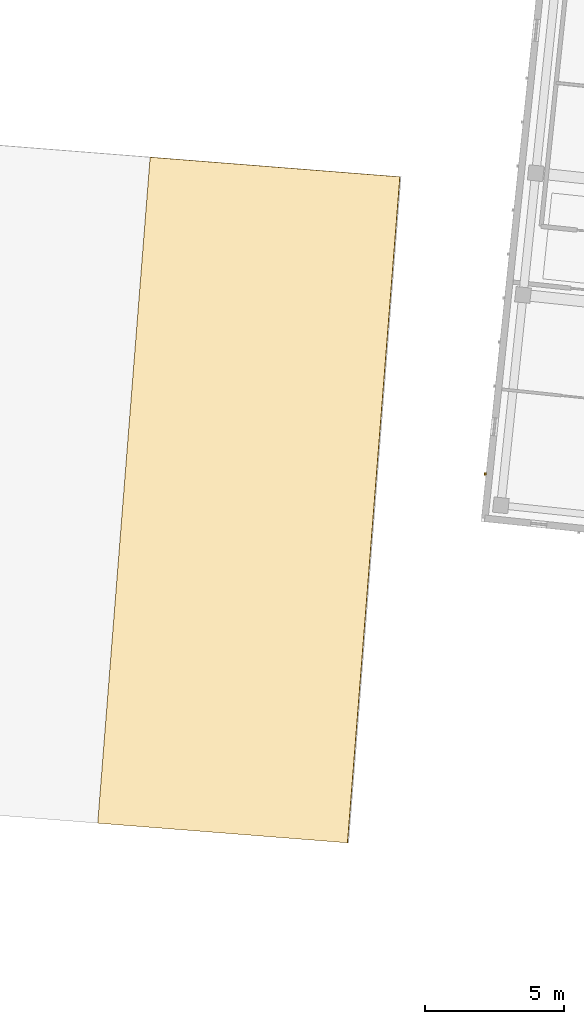
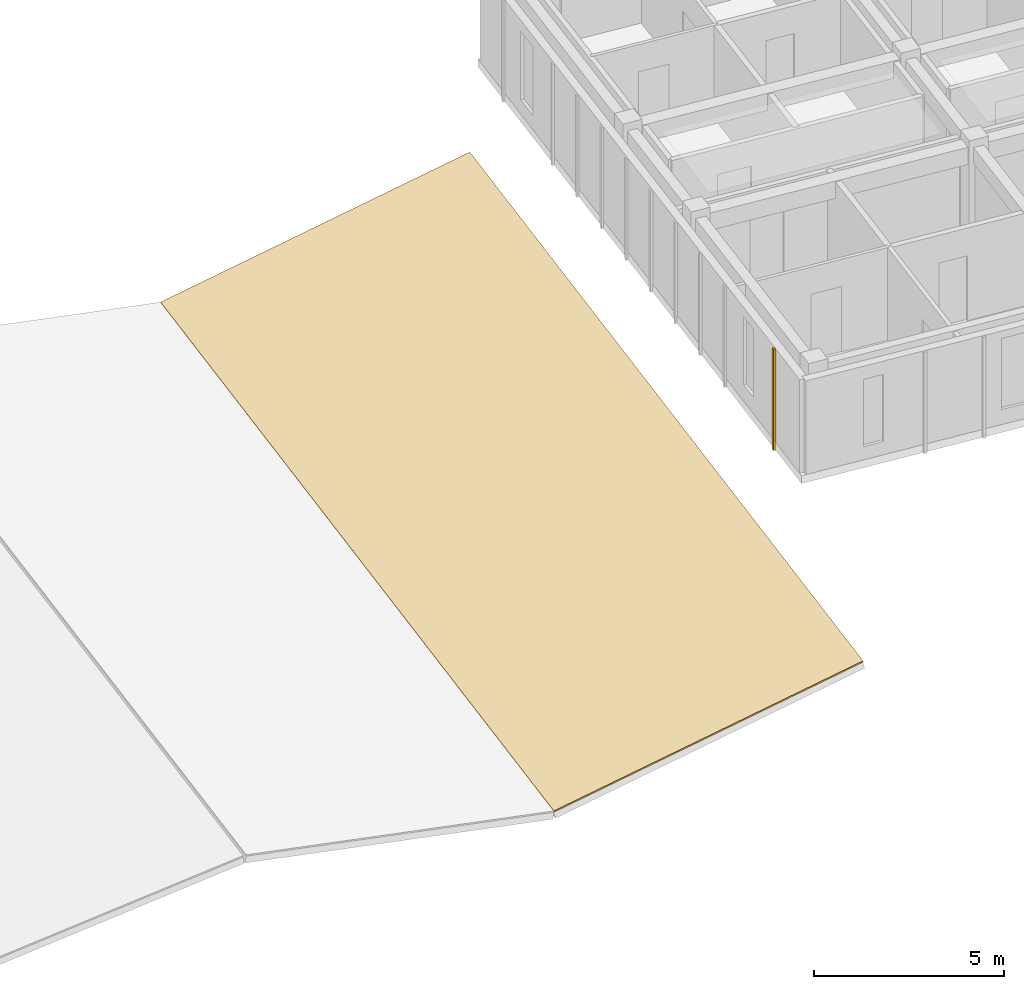
# One storey, part 62 of 74: 2 coverings.
"""IFC4 building model written with IfcOpenShell, lengths in metres."""

from ifc_helpers import new_model, si_unit, direction, frame, origin, origin_2d, place, context, subcontext, project, spatial, polyline, rectangle, outline, extrude, material, layer, layer_set, type_object, element, save


model = new_model("IFC4")

# Units and contexts
model_context = context("Model", 3, precision=1e-05, world=origin(), true_north=direction((0.0, 1.0)))
body_context = subcontext(model_context, "Body", "Model", "MODEL_VIEW")
ifc_project = project(units=[si_unit("LENGTHUNIT", "METRE"), si_unit("AREAUNIT", "SQUARE_METRE"), si_unit("VOLUMEUNIT", "CUBIC_METRE"), si_unit("PLANEANGLEUNIT", "RADIAN"), si_unit("MASSUNIT", "GRAM", prefix="KILO")], contexts=[model_context])

# Site, building, storey
site_placement = place(None, origin())
site = spatial("IfcSite", under=ifc_project, at=site_placement, CompositionType="ELEMENT")
building_placement = place(site_placement, origin())
building = spatial("IfcBuilding", under=site, at=building_placement, Name="Kestramere Prow Commons", CompositionType="ELEMENT")
storey_placement = place(building_placement, frame((0.0, 0.0, 11.64990234375)))
storey = spatial("IfcBuildingStorey", under=building, at=storey_placement, Name="L03", CompositionType="ELEMENT", Elevation=11.64990234375)

# Coverings
ifc_material_1 = material(Name="Weathered Zinc-Titanium Standing-Seam Cladding")
ifc_layer_1 = layer(ifc_material_1, 0.074951171875)
ifc_layer_set_1 = layer_set([ifc_layer_1], Name="Weathered Zinc-Titanium Standing-Seam Cladding")
covering_type_1 = type_object("IfcCoveringType", Name="COV-CLAD-SEAM", PredefinedType="CLADDING", material=ifc_layer_set_1)
covering_1_placement = place(storey_placement, frame((109.437255859375, 95.928466796875, -0.25), z_axis=(0.0, 0.0, 1.0), x_axis=(0.104528463268, 0.994521895368, 0.0)))
element("IfcCovering", 1, at=covering_1_placement, inside=storey, type_object=covering_type_1, Name="EW-B-L03-EAV Standing-Seam Rib 1", PredefinedType="CLADDING", context=body_context, shape_type="SweptSolid", body=[
    extrude(rectangle(XDim=0.0849609375, YDim=0.06494140625, at=origin_2d()), origin(), (0.0, 0.0, 1.0), 3.25),
])
ifc_material_2 = material(Name="Fluoropolymer Standing-Seam Zinc-Aluminium Roofing", Category="aluminium")
ifc_layer_2 = layer(ifc_material_2, 0.044921875)
ifc_layer_set_2 = layer_set([ifc_layer_2], Name="Fluoropolymer Standing-Seam Zinc-Aluminium Roofing")
covering_type_2 = type_object("IfcCoveringType", Name="COV-ROOF-SEAM", PredefinedType="ROOFING", material=ifc_layer_set_2)
covering_2_placement = place(storey_placement, frame((95.516845703125, 83.381591796875, 0.64501953125), z_axis=(-0.229939531893, -0.028660623672, 0.972782802235), x_axis=(0.970839877677, -0.076398553687, 0.2272293839)))
element("IfcCovering", 2, at=covering_2_placement, inside=storey, type_object=covering_type_2, Name="Nursery Butterfly Roofing SL-NR-ROOF-3", PredefinedType="ROOFING", context=body_context, shape_type="SweptSolid", body=[
    extrude(outline(polyline([(0.0, 0.0), (9.241683906782894, -1.3877787807814457e-17), (9.503208251217107, 24.026120654570164), (0.2615798203580182, 24.026131736582872), (0.0, 0.0)])), origin(), (0.0, 0.0, -1.0), 0.044921875),
])

save(model, "model.ifc")
